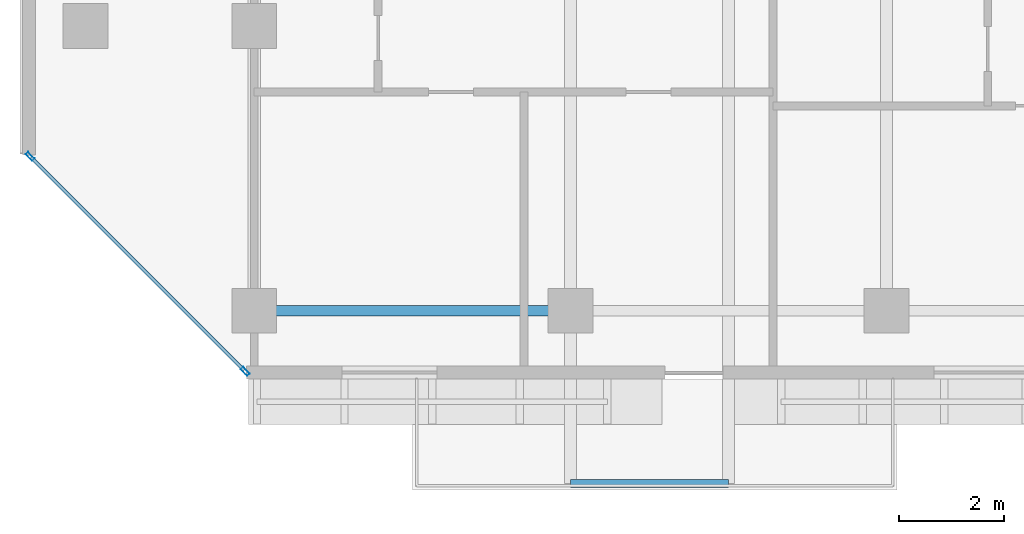
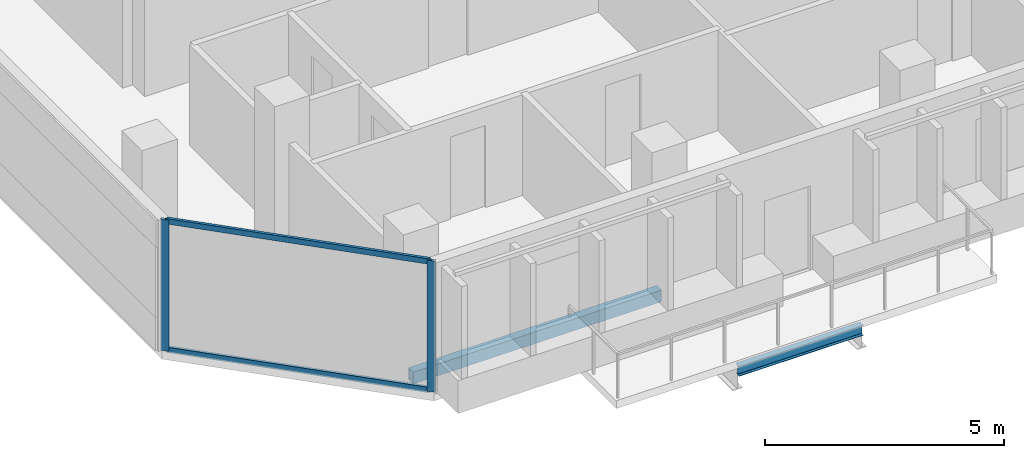
# One storey, part 2 of 31: 4 members, 2 beams, 1 element without a shape of its own.
"""IFC4 building model written with IfcOpenShell, lengths in metres."""

from ifc_helpers import new_model, si_unit, direction, frame, origin, origin_2d, place, context, subcontext, project, spatial, hollow_rectangle, i_section, extrude, material, layer, layer_set, material_profile, profile_set, type_object, element, aggregate, save


model = new_model("IFC4")

# Units and contexts
model_context = context("Model", 3, precision=1e-05, world=origin(), true_north=direction((0.0, 1.0)))
body_context = subcontext(model_context, "Body", "Model", "MODEL_VIEW")
ifc_project = project(units=[si_unit("LENGTHUNIT", "METRE"), si_unit("AREAUNIT", "SQUARE_METRE"), si_unit("VOLUMEUNIT", "CUBIC_METRE"), si_unit("PLANEANGLEUNIT", "RADIAN"), si_unit("MASSUNIT", "GRAM", prefix="KILO")], contexts=[model_context])

# Site, building, storey
site_placement = place(None, origin())
site = spatial("IfcSite", under=ifc_project, at=site_placement, CompositionType="ELEMENT")
building_placement = place(site_placement, origin())
building = spatial("IfcBuilding", under=site, at=building_placement, Name="Tanjung Sevakor Pilgrim Tower", CompositionType="ELEMENT")
storey_placement = place(building_placement, frame((0.0, 0.0, 169.2900390625)))
storey = spatial("IfcBuildingStorey", under=building, at=storey_placement, Name="L47", CompositionType="ELEMENT", Elevation=169.2900390625)

# Beams
ifc_material_1 = material(Name="Steel S355J2", Category="steel")
ifc_material_profile_1 = material_profile(ifc_material_1, i_section(OverallWidth=0.146484375, OverallDepth=0.256103515625, WebThickness=0.00634765625, FlangeThickness=0.010986328125, FilletRadius=0.007568359375, at=origin_2d()))
ifc_profile_set_1 = profile_set([ifc_material_profile_1], Name="Steel S355J2")
beam_type_1 = type_object("IfcBeamType", Name="BM-B-J6-UB_254x146x37", PredefinedType="JOIST", material=ifc_profile_set_1)
beam_1_placement = place(storey_placement, frame((30.0, 9.919921875, -0.328125), z_axis=(1.0, 0.0, 0.0), x_axis=(0.0, 1.0, 0.0)))
element("IfcBeam", 1, at=beam_1_placement, inside=storey, type_object=beam_type_1, Name="L47 Balcony Rim Tie MAIN-S1", PredefinedType="JOIST", context=body_context, shape_type="SweptSolid", body=[
    extrude(i_section(OverallWidth=0.146484375, OverallDepth=0.256103515625, WebThickness=0.00634765625, FlangeThickness=0.010986328125, FilletRadius=0.007568359375, at=origin_2d()), origin(), (0.0, 0.0, 1.0), 3.0),
])
ifc_material_2 = material(Name="Steel S355J2", Category="steel")
ifc_material_profile_2 = material_profile(ifc_material_2, hollow_rectangle(XDim=0.199951171875, YDim=0.300048828125, WallThickness=0.012451171875, at=origin_2d()))
ifc_profile_set_2 = profile_set([ifc_material_profile_2], Name="Steel S355J2")
beam_type_2 = type_object("IfcBeamType", Name="BM-B-SP3-RHS_300x200x12.5", PredefinedType="SPANDREL", material=ifc_profile_set_2)
beam_2_placement = place(storey_placement, frame((24.0, 13.199951171875, -0.3701171875), z_axis=(1.0, 0.0, 0.0), x_axis=(0.0, 1.0, 0.0)))
element("IfcBeam", 2, at=beam_2_placement, inside=storey, type_object=beam_type_2, Name="L47 Spandrel MAIN S-01", PredefinedType="SPANDREL", context=body_context, shape_type="SweptSolid", body=[
    extrude(hollow_rectangle(XDim=0.199951171875, YDim=0.300048828125, WallThickness=0.012451171875, at=origin_2d()), origin(), (0.0, 0.0, 1.0), 6.0),
])

# Curtain wall, members
ifc_material_3 = material(Name="Aluminium 6063-T6 and Low-E Glass", Category="aluminium")
ifc_layer = layer(ifc_material_3, 0.179931640625)
ifc_layer_set = layer_set([ifc_layer], Name="CW-SYS-CHAM")
curtain_wall_type = type_object("IfcCurtainWallType", Name="CW-SYS-CHAM", PredefinedType="NOTDEFINED", material=ifc_layer_set)
curtain_wall_placement = place(storey_placement, origin())
curtain_wall = element("IfcCurtainWall", 3, at=curtain_wall_placement, inside=storey, type_object=curtain_wall_type, Name="L47 Curtain Wall CW-CHM-L47-MAIN-15", PredefinedType="NOTDEFINED")
ifc_material_4 = material(Name="Aluminium 6063-T6", Category="aluminium")
ifc_material_profile_3 = material_profile(ifc_material_4, hollow_rectangle(XDim=0.06494140625, YDim=0.179931640625, WallThickness=0.00390625, at=origin_2d()))
ifc_profile_set_3 = profile_set([ifc_material_profile_3], Name="Aluminium 6063-T6")
member_type_1 = type_object("IfcMemberType", Name="TYPE-CWM-1", PredefinedType="MULLION", material=ifc_profile_set_3)
member_1_placement = place(storey_placement, frame((19.748046875, 16.12890625, 0.0), z_axis=(0.0, 0.0, 1.0), x_axis=(0.707106781187, 0.707106781187, 0.0)))
member_1 = element("IfcMember", 4, at=member_1_placement, type_object=member_type_1, Name="CW-CHM mullion 1", PredefinedType="MULLION", context=body_context, shape_type="SweptSolid", body=[
    extrude(hollow_rectangle(XDim=0.06494140625, YDim=0.179931640625, WallThickness=0.00390625, at=origin_2d()), origin(), (0.0, 0.0, 1.0), 3.349853515625),
])
member_2_placement = place(storey_placement, frame((23.828857421875, 12.048095703125, 0.0), z_axis=(0.0, 0.0, 1.0), x_axis=(0.707106781187, 0.707106781187, 0.0)))
member_2 = element("IfcMember", 5, at=member_2_placement, type_object=member_type_1, Name="CW-CHM mullion 2", PredefinedType="MULLION", context=body_context, shape_type="SweptSolid", body=[
    extrude(hollow_rectangle(XDim=0.06494140625, YDim=0.179931640625, WallThickness=0.00390625, at=origin_2d()), origin(), (0.0, 0.0, 1.0), 3.349853515625),
])
ifc_material_5 = material(Name="Aluminium 6063-T6", Category="aluminium")
ifc_material_profile_4 = material_profile(ifc_material_5, hollow_rectangle(XDim=0.06494140625, YDim=0.139892578125, WallThickness=0.00390625, at=origin_2d()))
ifc_profile_set_4 = profile_set([ifc_material_profile_4], Name="Aluminium 6063-T6")
member_type_2 = type_object("IfcMemberType", Name="TYPE-CWT-1", PredefinedType="USERDEFINED", material=ifc_profile_set_4)
member_3_placement = place(storey_placement, frame((19.77099609375, 16.10595703125, 0.032470703125), z_axis=(0.707106781187, -0.707106781187, 0.0), x_axis=(0.707106781187, 0.707106781187, 0.0)))
member_3 = element("IfcMember", 6, at=member_3_placement, type_object=member_type_2, Name="CW-CHM transom 1.1", ObjectType="TRANSOM", PredefinedType="USERDEFINED", context=body_context, shape_type="SweptSolid", body=[
    extrude(hollow_rectangle(XDim=0.06494140625, YDim=0.139892578125, WallThickness=0.00390625, at=origin_2d()), origin(), (0.0, 0.0, 1.0), 5.706298828125),
])
member_4_placement = place(storey_placement, frame((19.77099609375, 16.10595703125, 3.3173828125), z_axis=(0.707106781187, -0.707106781187, 0.0), x_axis=(0.707106781187, 0.707106781187, 0.0)))
member_4 = element("IfcMember", 7, at=member_4_placement, type_object=member_type_2, Name="CW-CHM transom 1.2", ObjectType="TRANSOM", PredefinedType="USERDEFINED", context=body_context, shape_type="SweptSolid", body=[
    extrude(hollow_rectangle(XDim=0.06494140625, YDim=0.139892578125, WallThickness=0.00390625, at=origin_2d()), origin(), (0.0, 0.0, 1.0), 5.706298828125),
])
aggregate(curtain_wall, [member_1, member_2, member_3, member_4])

save(model, "model.ifc")
